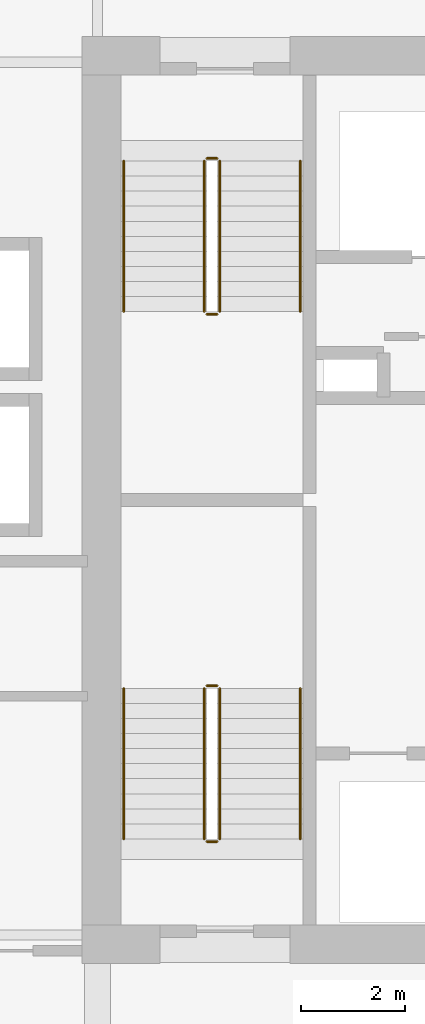
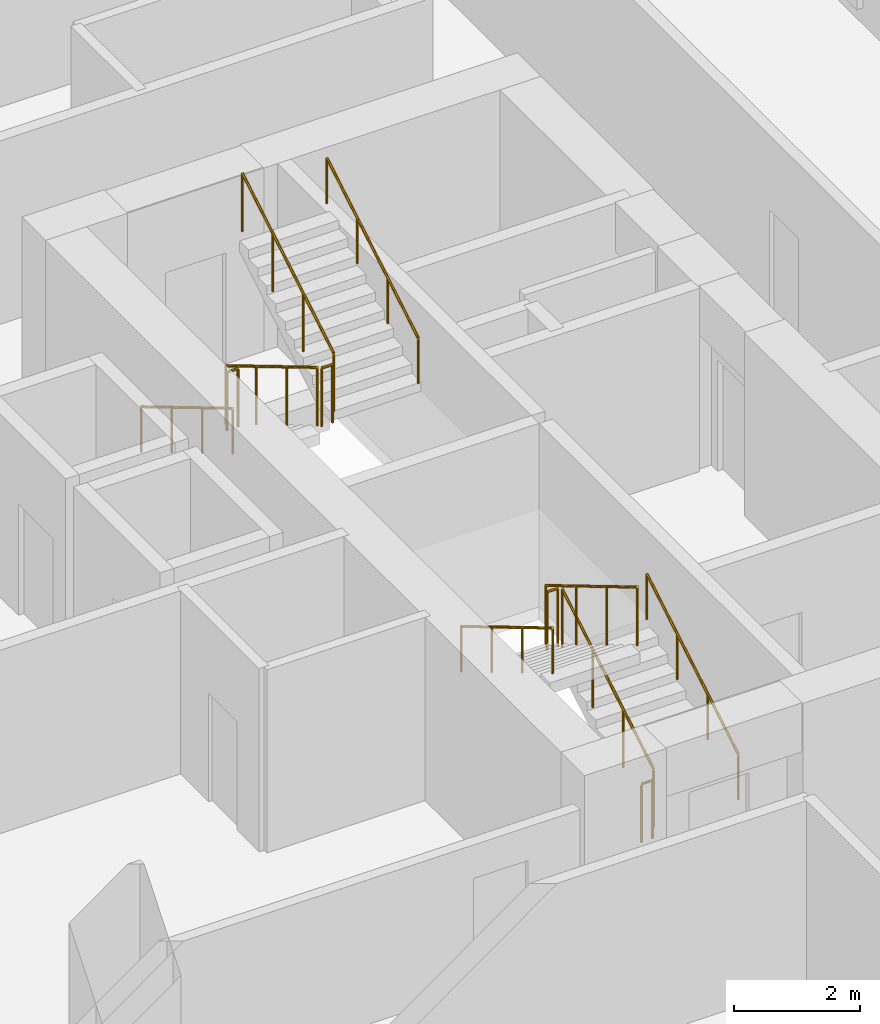
# One storey, part 19 of 20: 12 railings.
"""IFC4 building model written with IfcOpenShell, lengths in metres."""

from ifc_helpers import new_model, si_unit, direction, frame, origin, origin_2d, place, context, subcontext, project, spatial, circle, extrude, material, type_object, element, save


model = new_model("IFC4")

# Units and contexts
model_context = context("Model", 3, precision=1e-05, world=origin(), true_north=direction((0.0, 1.0)))
body_context = subcontext(model_context, "Body", "Model", "MODEL_VIEW")
ifc_project = project(units=[si_unit("LENGTHUNIT", "METRE"), si_unit("AREAUNIT", "SQUARE_METRE"), si_unit("VOLUMEUNIT", "CUBIC_METRE"), si_unit("PLANEANGLEUNIT", "RADIAN"), si_unit("MASSUNIT", "GRAM", prefix="KILO")], contexts=[model_context])

# Site, building, storey
site_placement = place(None, origin())
site = spatial("IfcSite", under=ifc_project, at=site_placement, CompositionType="ELEMENT")
building_placement = place(site_placement, origin())
building = spatial("IfcBuilding", under=site, at=building_placement, Name="Koriwani Terraces Tower", CompositionType="ELEMENT")
storey_placement = place(building_placement, frame((0.0, 0.0, 126.60009765625)))
storey = spatial("IfcBuildingStorey", under=building, at=storey_placement, Name="L30", CompositionType="ELEMENT", Elevation=126.60009765625)

# Railings
ifc_material = material(Name="Steel ASTM A572 Grade 50", Category="steel")
railing_type_1 = type_object("IfcRailingType", Name="GUARD_STAIR_WELL_1120", PredefinedType="GUARDRAIL", material=ifc_material)
railing_1_placement = place(storey_placement, frame((19.14990234375, 43.85009765625, 0.172607421875)))
element("IfcRailing", 1, at=railing_1_placement, inside=storey, type_object=railing_type_1, Name="L30 ST-W1 stair guard 1", PredefinedType="GUARDRAIL", context=body_context, shape_type="SweptSolid", body=[
    extrude(circle(Radius=0.02392578125, at=origin_2d()), frame((0.0, 0.0, 1.1259765625), z_axis=(0.0, 0.859141464434, 0.511738159696), x_axis=(-1.0, 0.0, 0.0)), (0.0, 0.0, 1.0), 3.375244140625),
    extrude(circle(Radius=0.02099609375, at=origin_2d()), origin(), (0.0, 0.0, 1.0), 1.101806640625),
    extrude(circle(Radius=0.02099609375, at=origin_2d()), frame((0.0, 0.966552734375, 0.57568359375)), (0.0, 0.0, 1.0), 1.101806640625),
    extrude(circle(Radius=0.02099609375, at=origin_2d()), frame((0.0, 1.933349609375, 1.151611328125)), (0.0, 0.0, 1.0), 1.101806640625),
    extrude(circle(Radius=0.02099609375, at=origin_2d()), frame((0.0, 2.89990234375, 1.727294921875)), (0.0, 0.0, 1.0), 1.101806640625),
])
railing_2_placement = place(storey_placement, frame((19.10009765625, 46.800048828125, 1.89990234375)))
element("IfcRailing", 2, at=railing_2_placement, inside=storey, type_object=railing_type_1, Name="L30 ST-W1 stair guard 2", PredefinedType="GUARDRAIL", context=body_context, shape_type="SweptSolid", body=[
    extrude(circle(Radius=0.02392578125, at=origin_2d()), frame((0.0, 0.0, 1.1259765625), z_axis=(-1.0, 0.0, 0.0), x_axis=(0.0, -1.0, 0.0)), (0.0, 0.0, 1.0), 0.2001953125),
    extrude(circle(Radius=0.02099609375, at=origin_2d()), origin(), (0.0, 0.0, 1.0), 1.101806640625),
    extrude(circle(Radius=0.02099609375, at=origin_2d()), frame((-0.2001953125, 0.0, 0.0)), (0.0, 0.0, 1.0), 1.101806640625),
])
railing_3_placement = place(storey_placement, frame((18.85009765625, 46.75, 2.072509765625)))
element("IfcRailing", 3, at=railing_3_placement, inside=storey, type_object=railing_type_1, Name="L30 ST-W1 stair guard 3", PredefinedType="GUARDRAIL", context=body_context, shape_type="SweptSolid", body=[
    extrude(circle(Radius=0.02392578125, at=origin_2d()), frame((0.0, 0.0, 1.1259765625), z_axis=(0.0, -0.859141464434, 0.511738159696), x_axis=(1.0, 0.0, 0.0)), (0.0, 0.0, 1.0), 3.375244140625),
    extrude(circle(Radius=0.02099609375, at=origin_2d()), origin(), (0.0, 0.0, 1.0), 1.101806640625),
    extrude(circle(Radius=0.02099609375, at=origin_2d()), frame((0.0, -0.966552734375, 0.57568359375)), (0.0, 0.0, 1.0), 1.101806640625),
    extrude(circle(Radius=0.02099609375, at=origin_2d()), frame((0.0, -1.933349609375, 1.151611328125)), (0.0, 0.0, 1.0), 1.101806640625),
    extrude(circle(Radius=0.02099609375, at=origin_2d()), frame((0.0, -2.89990234375, 1.727294921875)), (0.0, 0.0, 1.0), 1.101806640625),
])
railing_4_placement = place(storey_placement, frame((19.10009765625, 43.800048828125, 0.0)))
element("IfcRailing", 4, at=railing_4_placement, inside=storey, type_object=railing_type_1, Name="L30 ST-W1 stair guard 4", PredefinedType="GUARDRAIL", context=body_context, shape_type="SweptSolid", body=[
    extrude(circle(Radius=0.02392578125, at=origin_2d()), frame((0.0, 0.0, 1.1259765625), z_axis=(-1.0, 0.0, 0.0), x_axis=(0.0, -1.0, 0.0)), (0.0, 0.0, 1.0), 0.2001953125),
    extrude(circle(Radius=0.02099609375, at=origin_2d()), origin(), (0.0, 0.0, 1.0), 1.101806640625),
    extrude(circle(Radius=0.02099609375, at=origin_2d()), frame((-0.2001953125, 0.0, 0.0)), (0.0, 0.0, 1.0), 1.101806640625),
])
railing_5_placement = place(storey_placement, frame((18.85009765625, 56.89990234375, 0.172607421875)))
element("IfcRailing", 5, at=railing_5_placement, inside=storey, type_object=railing_type_1, Name="L30 ST-W2 stair guard 1", PredefinedType="GUARDRAIL", context=body_context, shape_type="SweptSolid", body=[
    extrude(circle(Radius=0.02392578125, at=origin_2d()), frame((0.0, 0.0, 1.1259765625), z_axis=(0.0, -0.859141464434, 0.511738159696), x_axis=(1.0, 0.0, 0.0)), (0.0, 0.0, 1.0), 3.375244140625),
    extrude(circle(Radius=0.02099609375, at=origin_2d()), origin(), (0.0, 0.0, 1.0), 1.101806640625),
    extrude(circle(Radius=0.02099609375, at=origin_2d()), frame((0.0, -0.966552734375, 0.57568359375)), (0.0, 0.0, 1.0), 1.101806640625),
    extrude(circle(Radius=0.02099609375, at=origin_2d()), frame((0.0, -1.933349609375, 1.151611328125)), (0.0, 0.0, 1.0), 1.101806640625),
    extrude(circle(Radius=0.02099609375, at=origin_2d()), frame((0.0, -2.89990234375, 1.727294921875)), (0.0, 0.0, 1.0), 1.101806640625),
])
railing_6_placement = place(storey_placement, frame((18.89990234375, 53.949951171875, 1.89990234375)))
element("IfcRailing", 6, at=railing_6_placement, inside=storey, type_object=railing_type_1, Name="L30 ST-W2 stair guard 2", PredefinedType="GUARDRAIL", context=body_context, shape_type="SweptSolid", body=[
    extrude(circle(Radius=0.02392578125, at=origin_2d()), frame((0.0, 0.0, 1.1259765625), z_axis=(1.0, 0.0, 0.0), x_axis=(0.0, 1.0, 0.0)), (0.0, 0.0, 1.0), 0.2001953125),
    extrude(circle(Radius=0.02099609375, at=origin_2d()), origin(), (0.0, 0.0, 1.0), 1.101806640625),
    extrude(circle(Radius=0.02099609375, at=origin_2d()), frame((0.2001953125, 0.0, 0.0)), (0.0, 0.0, 1.0), 1.101806640625),
])
railing_7_placement = place(storey_placement, frame((19.14990234375, 54.0, 2.072509765625)))
element("IfcRailing", 7, at=railing_7_placement, inside=storey, type_object=railing_type_1, Name="L30 ST-W2 stair guard 3", PredefinedType="GUARDRAIL", context=body_context, shape_type="SweptSolid", body=[
    extrude(circle(Radius=0.02392578125, at=origin_2d()), frame((0.0, 0.0, 1.1259765625), z_axis=(0.0, 0.859141464434, 0.511738159696), x_axis=(-1.0, 0.0, 0.0)), (0.0, 0.0, 1.0), 3.375244140625),
    extrude(circle(Radius=0.02099609375, at=origin_2d()), origin(), (0.0, 0.0, 1.0), 1.101806640625),
    extrude(circle(Radius=0.02099609375, at=origin_2d()), frame((0.0, 0.966552734375, 0.57568359375)), (0.0, 0.0, 1.0), 1.101806640625),
    extrude(circle(Radius=0.02099609375, at=origin_2d()), frame((0.0, 1.933349609375, 1.151611328125)), (0.0, 0.0, 1.0), 1.101806640625),
    extrude(circle(Radius=0.02099609375, at=origin_2d()), frame((0.0, 2.89990234375, 1.727294921875)), (0.0, 0.0, 1.0), 1.101806640625),
])
railing_8_placement = place(storey_placement, frame((18.89990234375, 56.949951171875, 0.0)))
element("IfcRailing", 8, at=railing_8_placement, inside=storey, type_object=railing_type_1, Name="L30 ST-W2 stair guard 4", PredefinedType="GUARDRAIL", context=body_context, shape_type="SweptSolid", body=[
    extrude(circle(Radius=0.02392578125, at=origin_2d()), frame((0.0, 0.0, 1.1259765625), z_axis=(1.0, 0.0, 0.0), x_axis=(0.0, 1.0, 0.0)), (0.0, 0.0, 1.0), 0.2001953125),
    extrude(circle(Radius=0.02099609375, at=origin_2d()), origin(), (0.0, 0.0, 1.0), 1.101806640625),
    extrude(circle(Radius=0.02099609375, at=origin_2d()), frame((0.2001953125, 0.0, 0.0)), (0.0, 0.0, 1.0), 1.101806640625),
])
railing_type_2 = type_object("IfcRailingType", Name="HANDRAIL_STAIR_920", PredefinedType="HANDRAIL", material=ifc_material)
railing_9_placement = place(storey_placement, frame((20.699951171875, 43.85009765625, 0.172607421875)))
element("IfcRailing", 9, at=railing_9_placement, inside=storey, type_object=railing_type_2, Name="L30 ST-W1 stair handrail 1", PredefinedType="HANDRAIL", context=body_context, shape_type="SweptSolid", body=[
    extrude(circle(Radius=0.02392578125, at=origin_2d()), frame((0.0, 0.0, 0.8759765625), z_axis=(0.0, 0.859141464434, 0.511738159696), x_axis=(-1.0, 0.0, 0.0)), (0.0, 0.0, 1.0), 3.375244140625),
    extrude(circle(Radius=0.02099609375, at=origin_2d()), origin(), (0.0, 0.0, 1.0), 0.851806640625),
    extrude(circle(Radius=0.02099609375, at=origin_2d()), frame((0.0, 0.966552734375, 0.57568359375)), (0.0, 0.0, 1.0), 0.851806640625),
    extrude(circle(Radius=0.02099609375, at=origin_2d()), frame((0.0, 1.933349609375, 1.151611328125)), (0.0, 0.0, 1.0), 0.851806640625),
    extrude(circle(Radius=0.02099609375, at=origin_2d()), frame((0.0, 2.89990234375, 1.727294921875)), (0.0, 0.0, 1.0), 0.851806640625),
])
for number, where, name in (
    (10, (17.300048828125, 46.75, 2.072509765625), "L30 ST-W1 stair handrail 2"),
    (11, (17.300048828125, 56.89990234375, 0.172607421875), "L30 ST-W2 stair handrail 1"),
):
    element("IfcRailing", number, at=place(storey_placement, frame(where)), inside=storey, type_object=railing_type_2, Name=name, PredefinedType="HANDRAIL", context=body_context, shape_type="SweptSolid", body=[
        extrude(circle(Radius=0.02392578125, at=origin_2d()), frame((0.0, 0.0, 0.8759765625), z_axis=(0.0, -0.859141464434, 0.511738159696), x_axis=(1.0, 0.0, 0.0)), (0.0, 0.0, 1.0), 3.375244140625),
        extrude(circle(Radius=0.02099609375, at=origin_2d()), origin(), (0.0, 0.0, 1.0), 0.851806640625),
        extrude(circle(Radius=0.02099609375, at=origin_2d()), frame((0.0, -0.966552734375, 0.57568359375)), (0.0, 0.0, 1.0), 0.851806640625),
        extrude(circle(Radius=0.02099609375, at=origin_2d()), frame((0.0, -1.933349609375, 1.151611328125)), (0.0, 0.0, 1.0), 0.851806640625),
        extrude(circle(Radius=0.02099609375, at=origin_2d()), frame((0.0, -2.89990234375, 1.727294921875)), (0.0, 0.0, 1.0), 0.851806640625),
    ])
railing_10_placement = place(storey_placement, frame((20.699951171875, 54.0, 2.072509765625)))
element("IfcRailing", 12, at=railing_10_placement, inside=storey, type_object=railing_type_2, Name="L30 ST-W2 stair handrail 2", PredefinedType="HANDRAIL", context=body_context, shape_type="SweptSolid", body=[
    extrude(circle(Radius=0.02392578125, at=origin_2d()), frame((0.0, 0.0, 0.8759765625), z_axis=(0.0, 0.859141464434, 0.511738159696), x_axis=(-1.0, 0.0, 0.0)), (0.0, 0.0, 1.0), 3.375244140625),
    extrude(circle(Radius=0.02099609375, at=origin_2d()), origin(), (0.0, 0.0, 1.0), 0.851806640625),
    extrude(circle(Radius=0.02099609375, at=origin_2d()), frame((0.0, 0.966552734375, 0.57568359375)), (0.0, 0.0, 1.0), 0.851806640625),
    extrude(circle(Radius=0.02099609375, at=origin_2d()), frame((0.0, 1.933349609375, 1.151611328125)), (0.0, 0.0, 1.0), 0.851806640625),
    extrude(circle(Radius=0.02099609375, at=origin_2d()), frame((0.0, 2.89990234375, 1.727294921875)), (0.0, 0.0, 1.0), 0.851806640625),
])

save(model, "model.ifc")
